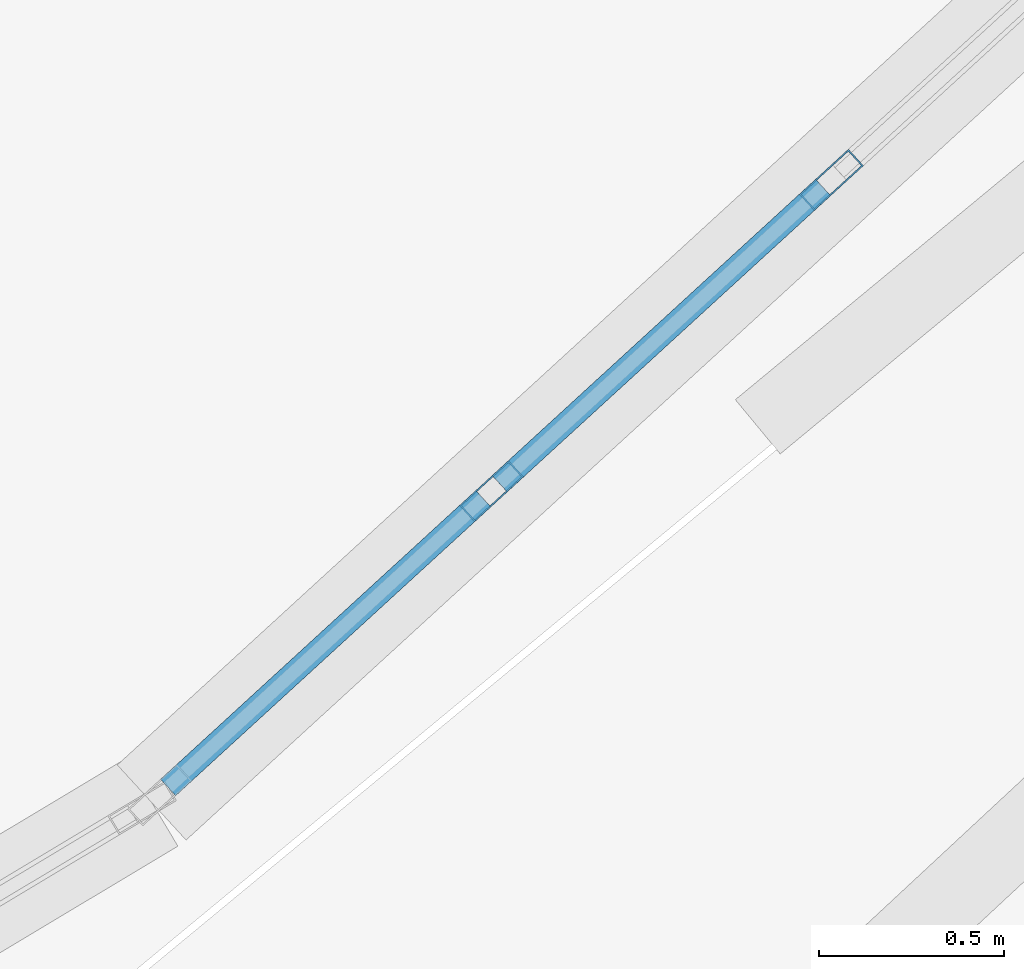
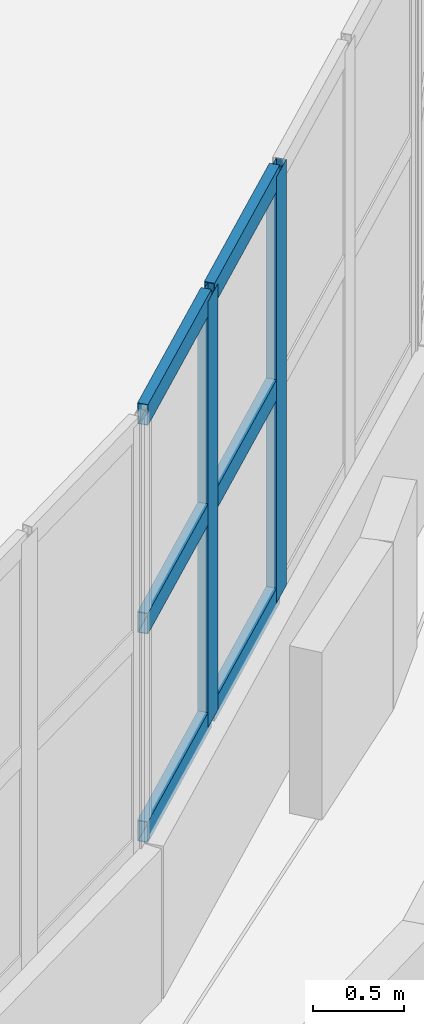
# One storey, part 15 of 69: 8 members, 1 element without a shape of its own.
"""IFC4 building model written with IfcOpenShell, lengths in metres."""

from ifc_helpers import new_model, si_unit, direction, frame, origin, origin_2d, place, context, subcontext, project, spatial, hollow_rectangle, extrude, material, layer, layer_set, material_profile, profile_set, type_object, element, aggregate, save


model = new_model("IFC4")

# Units and contexts
model_context = context("Model", 3, precision=1e-05, world=origin(), true_north=direction((0.0, 1.0)))
body_context = subcontext(model_context, "Body", "Model", "MODEL_VIEW")
ifc_project = project(units=[si_unit("LENGTHUNIT", "METRE"), si_unit("AREAUNIT", "SQUARE_METRE"), si_unit("VOLUMEUNIT", "CUBIC_METRE"), si_unit("PLANEANGLEUNIT", "RADIAN"), si_unit("MASSUNIT", "GRAM", prefix="KILO")], contexts=[model_context])

# Site, building, storey
site_placement = place(None, origin())
site = spatial("IfcSite", under=ifc_project, at=site_placement, CompositionType="ELEMENT")
building_placement = place(site_placement, origin())
building = spatial("IfcBuilding", under=site, at=building_placement, Name="Pelvatis Terrace Science Centre", CompositionType="ELEMENT")
storey_placement = place(building_placement, frame((0.0, 0.0, 15.0)))
storey = spatial("IfcBuildingStorey", under=building, at=storey_placement, Name="L03", CompositionType="ELEMENT", Elevation=15.0)

# Curtain wall, members
ifc_material_1 = material(Name="Bronze-anodised aluminium and laminated glass", Category="aluminium")
ifc_layer = layer(ifc_material_1, 0.179931640625)
ifc_layer_set = layer_set([ifc_layer], Name="Bronze-anodised aluminium and laminated glass")
curtain_wall_type = type_object("IfcCurtainWallType", Name="CW-RIBBON-A", PredefinedType="NOTDEFINED", material=ifc_layer_set)
curtain_wall_placement = place(storey_placement, origin())
curtain_wall = element("IfcCurtainWall", 1, at=curtain_wall_placement, inside=storey, type_object=curtain_wall_type, Name="Ribbon curtain wall CW-209 (L03)", PredefinedType="NOTDEFINED")
ifc_material_2 = material(Name="Bronze-anodised aluminium 6063-T6", Category="aluminium")
ifc_material_profile_1 = material_profile(ifc_material_2, hollow_rectangle(XDim=0.06005859375, YDim=0.179931640625, WallThickness=0.00390625, at=origin_2d()), Name="ALU-MUL 60x180")
ifc_profile_set_1 = profile_set([ifc_material_profile_1], Name="Bronze-anodised aluminium 6063-T6")
member_type_1 = type_object("IfcMemberType", Name="CWM-60x180", PredefinedType="MULLION", material=ifc_profile_set_1)
member_1_placement = place(storey_placement, frame((128.582763671875, 68.751708984375, 1.02001953125), z_axis=(0.0, 0.0, 1.0), x_axis=(-0.675451772708, 0.737404165127, 0.0)))
member_1 = element("IfcMember", 2, at=member_1_placement, type_object=member_type_1, Name="CW-209 mullion 2", PredefinedType="MULLION", context=body_context, shape_type="SweptSolid", body=[
    extrude(hollow_rectangle(XDim=0.06005859375, YDim=0.179931640625, WallThickness=0.00390625, at=origin_2d()), origin(), (0.0, 0.0, 1.0), 2.85009765625),
])
member_2_placement = place(storey_placement, frame((129.500732421875, 69.592529296875, 1.02001953125), z_axis=(0.0, 0.0, 1.0), x_axis=(-0.675451772708, 0.737404165127, 0.0)))
member_2 = element("IfcMember", 3, at=member_2_placement, type_object=member_type_1, Name="CW-209 mullion 3", PredefinedType="MULLION", context=body_context, shape_type="SweptSolid", body=[
    extrude(hollow_rectangle(XDim=0.06005859375, YDim=0.179931640625, WallThickness=0.00390625, at=origin_2d()), origin(), (0.0, 0.0, 1.0), 2.85009765625),
])
ifc_material_3 = material(Name="Bronze-anodised aluminium 6063-T6", Category="aluminium")
ifc_material_profile_2 = material_profile(ifc_material_3, hollow_rectangle(XDim=0.06005859375, YDim=0.139892578125, WallThickness=0.00390625, at=origin_2d()), Name="ALU-TRN 60x140")
ifc_profile_set_2 = profile_set([ifc_material_profile_2], Name="Bronze-anodised aluminium 6063-T6")
member_type_2 = type_object("IfcMemberType", Name="CWT-60x140", PredefinedType="USERDEFINED", material=ifc_profile_set_2)
member_3_placement = place(storey_placement, frame((127.708984375, 67.951416015625, 1.050048828125), z_axis=(0.737399806304, 0.67545653129, 0.0), x_axis=(-0.67545653129, 0.737399806304, 0.0)))
member_3 = element("IfcMember", 4, at=member_3_placement, type_object=member_type_2, Name="CW-209 transom 1.1", ObjectType="TRANSOM", PredefinedType="USERDEFINED", context=body_context, shape_type="SweptSolid", body=[
    extrude(hollow_rectangle(XDim=0.06005859375, YDim=0.139892578125, WallThickness=0.00390625, at=origin_2d()), origin(), (0.0, 0.0, 1.0), 1.15478515625),
])
member_4_placement = place(storey_placement, frame((127.708984375, 67.951416015625, 2.445068359375), z_axis=(0.737399806304, 0.67545653129, 0.0), x_axis=(-0.67545653129, 0.737399806304, 0.0)))
member_4 = element("IfcMember", 5, at=member_4_placement, type_object=member_type_2, Name="CW-209 transom 1.2", ObjectType="TRANSOM", PredefinedType="USERDEFINED", context=body_context, shape_type="SweptSolid", body=[
    extrude(hollow_rectangle(XDim=0.06005859375, YDim=0.139892578125, WallThickness=0.00390625, at=origin_2d()), origin(), (0.0, 0.0, 1.0), 1.15478515625),
])
member_5_placement = place(storey_placement, frame((127.708984375, 67.951416015625, 3.840087890625), z_axis=(0.737399806304, 0.67545653129, 0.0), x_axis=(-0.67545653129, 0.737399806304, 0.0)))
member_5 = element("IfcMember", 6, at=member_5_placement, type_object=member_type_2, Name="CW-209 transom 1.3", ObjectType="TRANSOM", PredefinedType="USERDEFINED", context=body_context, shape_type="SweptSolid", body=[
    extrude(hollow_rectangle(XDim=0.06005859375, YDim=0.139892578125, WallThickness=0.00390625, at=origin_2d()), origin(), (0.0, 0.0, 1.0), 1.15478515625),
])
member_6_placement = place(storey_placement, frame((128.604736328125, 68.77197265625, 1.050048828125), z_axis=(0.737436319154, 0.675416667837, 0.0), x_axis=(-0.675416667837, 0.737436319154, 0.0)))
member_6 = element("IfcMember", 7, at=member_6_placement, type_object=member_type_2, Name="CW-209 transom 2.1", ObjectType="TRANSOM", PredefinedType="USERDEFINED", context=body_context, shape_type="SweptSolid", body=[
    extrude(hollow_rectangle(XDim=0.06005859375, YDim=0.139892578125, WallThickness=0.00390625, at=origin_2d()), origin(), (0.0, 0.0, 1.0), 1.184814453125),
])
member_7_placement = place(storey_placement, frame((128.604736328125, 68.77197265625, 2.445068359375), z_axis=(0.737436319154, 0.675416667837, 0.0), x_axis=(-0.675416667837, 0.737436319154, 0.0)))
member_7 = element("IfcMember", 8, at=member_7_placement, type_object=member_type_2, Name="CW-209 transom 2.2", ObjectType="TRANSOM", PredefinedType="USERDEFINED", context=body_context, shape_type="SweptSolid", body=[
    extrude(hollow_rectangle(XDim=0.06005859375, YDim=0.139892578125, WallThickness=0.00390625, at=origin_2d()), origin(), (0.0, 0.0, 1.0), 1.184814453125),
])
member_8_placement = place(storey_placement, frame((128.604736328125, 68.77197265625, 3.840087890625), z_axis=(0.737436319154, 0.675416667837, 0.0), x_axis=(-0.675416667837, 0.737436319154, 0.0)))
member_8 = element("IfcMember", 9, at=member_8_placement, type_object=member_type_2, Name="CW-209 transom 2.3", ObjectType="TRANSOM", PredefinedType="USERDEFINED", context=body_context, shape_type="SweptSolid", body=[
    extrude(hollow_rectangle(XDim=0.06005859375, YDim=0.139892578125, WallThickness=0.00390625, at=origin_2d()), origin(), (0.0, 0.0, 1.0), 1.184814453125),
])
aggregate(curtain_wall, [member_1, member_2, member_3, member_4, member_5, member_6, member_7, member_8])

save(model, "model.ifc")
